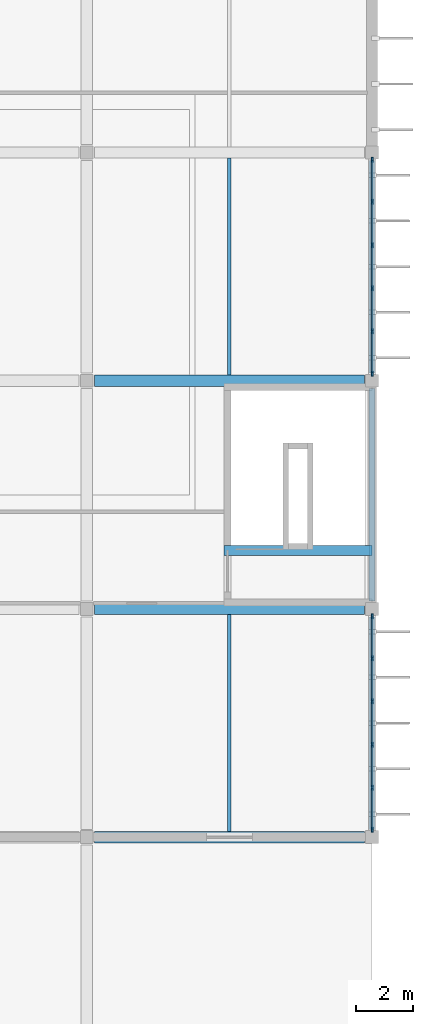
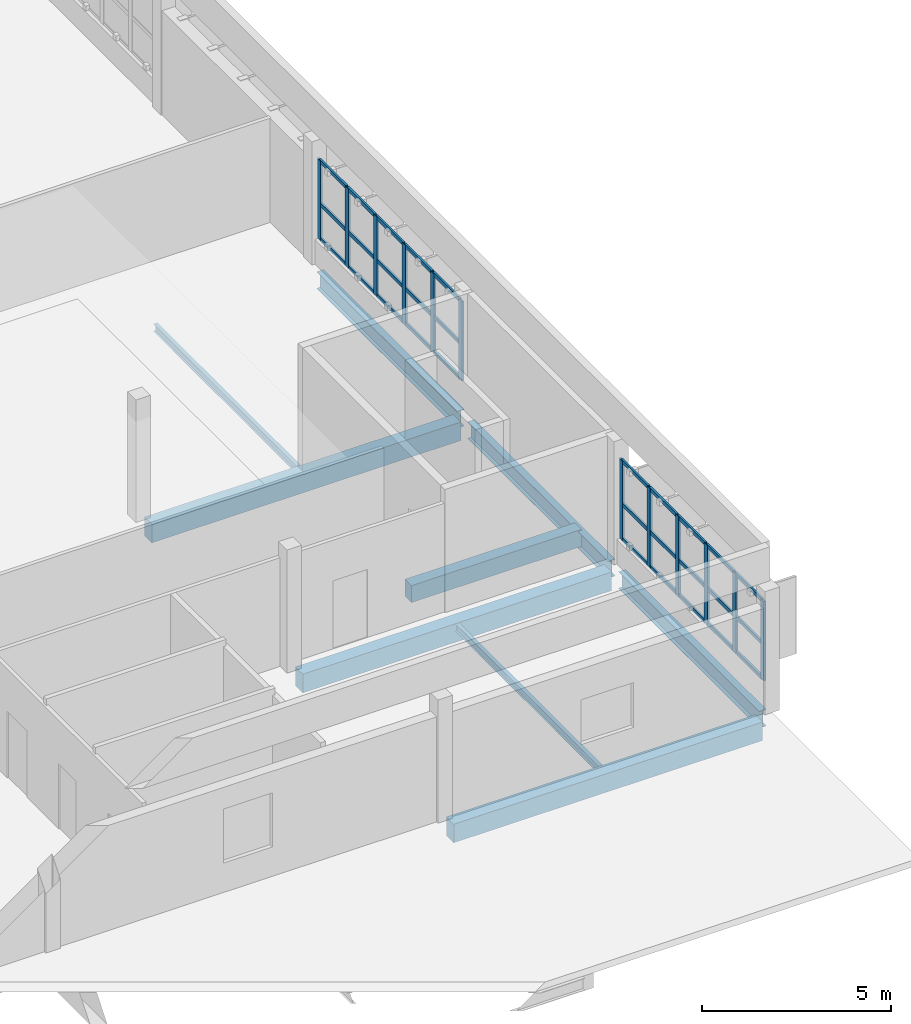
# One storey, part 3 of 12: 42 members, 9 beams, 2 elements without a shape of their own.
"""IFC4 building model written with IfcOpenShell, lengths in metres."""

import ifcopenshell
import ifcopenshell.guid

model = None  # the IFC model being written
_history = None  # IfcOwnerHistory: only IFC2X3 demands one
_inside = {}  # id of a spatial element -> (the spatial element, [elements in it])
_under = {}  # id of a project, library or spatial element -> (it, [spatial elements below it])
_declared = {}  # id of a project -> (the project, [libraries it declares])
_typed = {}  # id of a type object -> (the type object, [elements of that type])
_made_of = {}  # id of a material, layer set ... -> (it, [elements and type objects made of it])


def new_model(schema):
    """Start an empty IFC model of exactly this schema.

    Asked for "IFC4X3", IfcOpenShell would pick the latest addendum, in which some entities
    have other attributes; the version numbers below select the first issue.
    IFC2X3 requires an IfcOwnerHistory on every rooted entity: one is made here for all.
    """
    global model, _history
    if schema == "IFC4X3":
        model = ifcopenshell.file(schema_version=(4, 3, 0, 0))
    else:
        model = ifcopenshell.file(schema=schema)
    _inside.clear()
    _under.clear()
    _declared.clear()
    _typed.clear()
    _made_of.clear()
    _history = None
    if model.schema == "IFC2X3":
        org = make("IfcOrganization", Name="unknown")
        user = make(
            "IfcPersonAndOrganization",
            ThePerson=make("IfcPerson", FamilyName="unknown"),
            TheOrganization=org,
        )
        app = make(
            "IfcApplication",
            ApplicationDeveloper=org,
            Version="unknown",
            ApplicationFullName="unknown",
            ApplicationIdentifier="unknown",
        )
        _history = make(
            "IfcOwnerHistory",
            OwningUser=user,
            OwningApplication=app,
            ChangeAction="ADDED",
            CreationDate=0,
        )
    return model


def make(cls, **values):
    """One entity of the class cls with the attributes given. An attribute that is None is left unset."""
    return model.create_entity(
        cls, **{name: value for name, value in values.items() if value is not None}
    )


def rooted(cls, **values):
    """An entity with a GlobalId (a new one), such as an element, a storey or a relation."""
    return make(cls, GlobalId=ifcopenshell.guid.new(), OwnerHistory=_history, **values)


def si_unit(unit_type, name, prefix=None):
    """IfcSIUnit, for example si_unit("LENGTHUNIT", "METRE", prefix="MILLI")."""
    return make("IfcSIUnit", UnitType=unit_type, Prefix=prefix, Name=name)


def assignment(units):
    """IfcUnitAssignment: the units of a project."""
    return None if units is None else make("IfcUnitAssignment", Units=units)


def point(xyz):
    """IfcCartesianPoint."""
    return None if xyz is None else make("IfcCartesianPoint", Coordinates=xyz)


def direction(xyz):
    """IfcDirection."""
    return None if xyz is None else make("IfcDirection", DirectionRatios=xyz)


def frame(location, z_axis=None, x_axis=None):
    """IfcAxis2Placement3D, a coordinate frame: its origin and axes. An axis left out is left unset."""
    return make(
        "IfcAxis2Placement3D",
        Location=point(location),
        Axis=direction(z_axis),
        RefDirection=direction(x_axis),
    )


def frame_2d(location, x_axis=None):
    """IfcAxis2Placement2D, a coordinate frame in the plane: its origin and x axis."""
    return make(
        "IfcAxis2Placement2D", Location=point(location), RefDirection=direction(x_axis)
    )


def origin():
    """The frame at (0, 0, 0) with its axes left unset."""
    return frame((0.0, 0.0, 0.0))


def origin_2d():
    """The frame at (0, 0) in the plane with its x axis left unset."""
    return frame_2d((0.0, 0.0))


def place(relative_to, where):
    """IfcLocalPlacement: puts the frame where relative to a parent placement (None: the world)."""
    return make(
        "IfcLocalPlacement", PlacementRelTo=relative_to, RelativePlacement=where
    )


def context(
    kind, dimensions, precision=None, world=None, true_north=None, identifier=None
):
    """IfcGeometricRepresentationContext, for example the 3D "Model" context."""
    return make(
        "IfcGeometricRepresentationContext",
        ContextIdentifier=identifier,
        ContextType=kind,
        CoordinateSpaceDimension=dimensions,
        Precision=precision,
        WorldCoordinateSystem=world,
        TrueNorth=true_north,
    )


def subcontext(parent, identifier, kind, view, scale=None):
    """IfcGeometricRepresentationSubContext, for example "Body" below "Model"."""
    return make(
        "IfcGeometricRepresentationSubContext",
        ContextIdentifier=identifier,
        ContextType=kind,
        ParentContext=parent,
        TargetScale=scale,
        TargetView=view,
    )


def project(units=None, contexts=None):
    """IfcProject with its units and contexts."""
    return rooted(
        "IfcProject",
        Name="project",
        RepresentationContexts=contexts,
        UnitsInContext=assignment(units),
    )


def spatial(cls, under=None, at=None, **own):
    """A site, building, storey or space (cls), placed at a placement, below another one or the project."""
    s = rooted(cls, ObjectPlacement=at, **own)
    if under is not None:
        _under.setdefault(under.id(), (under, []))[1].append(s)
    return s


def profile(cls, at=None, kind="AREA", **sizes):
    """A parametric profile (cls). Its sizes go by their IFC names, for example OverallWidth=200.0."""
    return make(cls, ProfileType=kind, Position=at, **sizes)


def rectangle(**sizes):
    """IfcRectangleProfileDef."""
    return profile("IfcRectangleProfileDef", **sizes)


def i_section(**sizes):
    """IfcIShapeProfileDef."""
    return profile("IfcIShapeProfileDef", **sizes)


def extrude(swept, where, along, depth):
    """IfcExtrudedAreaSolid: the profile swept, set in the frame where, extruded along a direction by depth."""
    return make(
        "IfcExtrudedAreaSolid",
        SweptArea=swept,
        Position=where,
        ExtrudedDirection=direction(along),
        Depth=depth,
    )


def shape(context_of_items, identifier, shape_type, items):
    """IfcShapeRepresentation: the items that make up one representation, for example the "Body"."""
    return make(
        "IfcShapeRepresentation",
        ContextOfItems=context_of_items,
        RepresentationIdentifier=identifier,
        RepresentationType=shape_type,
        Items=items,
    )


def material(Name=None, Category=None):
    """IfcMaterial."""
    return make("IfcMaterial", Name=Name, Category=Category)


def layer(
    of_material, thickness, ventilated=None, Name=None, Category=None, Priority=None
):
    """IfcMaterialLayer: one layer of a wall or slab, of a material (None: an air gap)."""
    return make(
        "IfcMaterialLayer",
        Material=of_material,
        LayerThickness=thickness,
        IsVentilated=ventilated,
        Name=Name,
        Category=Category,
        Priority=Priority,
    )


def layer_set(layers, Name=None):
    """IfcMaterialLayerSet."""
    return make("IfcMaterialLayerSet", MaterialLayers=layers, LayerSetName=Name)


def material_profile(
    of_material, cross_section, Name=None, Category=None, Priority=None
):
    """IfcMaterialProfile: a cross section and its material."""
    return make(
        "IfcMaterialProfile",
        Name=Name,
        Material=of_material,
        Profile=cross_section,
        Priority=Priority,
        Category=Category,
    )


def profile_set(profiles, Name=None, composite=None):
    """IfcMaterialProfileSet."""
    return make(
        "IfcMaterialProfileSet",
        Name=Name,
        MaterialProfiles=profiles,
        CompositeProfile=composite,
    )


def made_of(thing, what):
    """Note that an element or type object is made of a material, layer set ...; save() writes the relation."""
    if what is not None:
        _made_of.setdefault(what.id(), (what, []))[1].append(thing)
    return thing


def type_object(cls, material=None, **own):
    """A type object (cls), such as IfcWallType, which elements share."""
    return made_of(rooted(cls, **own), material)


def element(
    cls,
    number,
    at=None,
    inside=None,
    cuts=None,
    type_object=None,
    material=None,
    context=None,
    identifier="Body",
    shape_type=None,
    held_by="IfcProductDefinitionShape",
    body=None,
    shapes=None,
    **own,
):
    """One element of the class cls, such as IfcWall. Its Tag is "e" and its number.

    at: its placement. inside: the storey or other place that contains it. cuts: it is an
    opening in that element (IfcRelVoidsElement). A single representation is given by context,
    identifier, shape_type and body (its items); several are given by shapes. held_by: the class
    of the entity that holds the representations. save() writes the other relations.
    """
    e = rooted(cls, Tag="e%d" % number, ObjectPlacement=at, **own)
    if body is not None:
        shapes = [shape(context, identifier, shape_type, body)]
    if shapes is not None:
        e.Representation = make(held_by, Representations=shapes)
    if inside is not None:
        _inside.setdefault(inside.id(), (inside, []))[1].append(e)
    if cuts is not None:
        rooted(
            "IfcRelVoidsElement", RelatingBuildingElement=cuts, RelatedOpeningElement=e
        )
    if type_object is not None:
        _typed.setdefault(type_object.id(), (type_object, []))[1].append(e)
    return made_of(e, material)


def aggregate(whole, parts):
    """IfcRelAggregates: a whole, such as a stair, and the parts it consists of."""
    return rooted("IfcRelAggregates", RelatingObject=whole, RelatedObjects=parts)


def save(model, path):
    """Write the relations noted so far, then the file.

    IfcRelAggregates (storeys below a building ...), IfcRelContainedInSpatialStructure (elements
    in a storey), IfcRelDefinesByType, IfcRelAssociatesMaterial and IfcRelDeclares: one each for
    every whole, place, type object, material and project.
    """
    for whole, parts in _under.values():
        aggregate(whole, parts)
    for where, things in _inside.values():
        rooted(
            "IfcRelContainedInSpatialStructure",
            RelatedElements=things,
            RelatingStructure=where,
        )
    for kind, things in _typed.values():
        rooted("IfcRelDefinesByType", RelatedObjects=things, RelatingType=kind)
    for what, things in _made_of.values():
        rooted("IfcRelAssociatesMaterial", RelatedObjects=things, RelatingMaterial=what)
    for by, libraries in _declared.values():
        rooted("IfcRelDeclares", RelatingContext=by, RelatedDefinitions=libraries)
    model.write(path)


model = new_model("IFC4")

# Units and contexts
model_context = context("Model", 3, precision=1e-05, world=origin(), true_north=direction((0.0, 1.0)))
body_context = subcontext(model_context, "Body", "Model", "MODEL_VIEW")
ifc_project = project(units=[si_unit("LENGTHUNIT", "METRE"), si_unit("AREAUNIT", "SQUARE_METRE"), si_unit("VOLUMEUNIT", "CUBIC_METRE"), si_unit("PLANEANGLEUNIT", "RADIAN"), si_unit("MASSUNIT", "GRAM", prefix="KILO")], contexts=[model_context])

# Site, building, storey
site_placement = place(None, origin())
site = spatial("IfcSite", under=ifc_project, at=site_placement, CompositionType="ELEMENT")
building_placement = place(site_placement, origin())
building = spatial("IfcBuilding", under=site, at=building_placement, Name="Drelvana Railside Aquatics Centre", CompositionType="ELEMENT")
storey_placement = place(building_placement, frame((0.0, 0.0, 18.60009765625)))
storey = spatial("IfcBuildingStorey", under=building, at=storey_placement, Name="L04", CompositionType="ELEMENT", Elevation=18.60009765625)

# Curtain wall, members
ifc_material_1 = material(Name="Bronze-anodised aluminium curtain wall", Category="aluminium")
ifc_layer = layer(ifc_material_1, 0.175048828125, Name="Bronze-anodised aluminium curtain wall")
ifc_layer_set = layer_set([ifc_layer], Name="Bronze-anodised aluminium curtain wall")
curtain_wall_type = type_object("IfcCurtainWallType", Name="CW-Z6-WING", PredefinedType="NOTDEFINED", material=ifc_layer_set)
curtain_wall_1_placement = place(storey_placement, origin())
curtain_wall_1 = element("IfcCurtainWall", 1, at=curtain_wall_1_placement, inside=storey, type_object=curtain_wall_type, Name="Curtain wall CW-06-170", PredefinedType="NOTDEFINED")
ifc_material_2 = material(Name="Bronze-anodised aluminium 6063-T6", Category="aluminium")
ifc_material_profile_1 = material_profile(ifc_material_2, rectangle(XDim=0.06494140625, YDim=0.175048828125, at=origin_2d()), Name="ALU-M 65x175")
ifc_profile_set_1 = profile_set([ifc_material_profile_1], Name="Bronze-anodised aluminium 6063-T6")
member_type_1 = type_object("IfcMemberType", Name="CW-Z6-WING-MUL", PredefinedType="MULLION", material=ifc_profile_set_1)
member_1_placement = place(storey_placement, frame((184.0, 24.25146484375, 0.7939453125), z_axis=(0.0, 0.0, 1.0), x_axis=(-1.0, 0.0, 0.0)))
member_1 = element("IfcMember", 2, at=member_1_placement, type_object=member_type_1, Name="CW-06 mullion 1", PredefinedType="MULLION", context=body_context, shape_type="SweptSolid", body=[
    extrude(rectangle(XDim=0.06494140625, YDim=0.175048828125, at=origin_2d()), origin(), (0.0, 0.0, 1.0), 2.571044921875),
])
member_2_placement = place(storey_placement, frame((184.0, 25.7314453125, 0.7939453125), z_axis=(0.0, 0.0, 1.0), x_axis=(-1.0, 0.0, 0.0)))
member_2 = element("IfcMember", 3, at=member_2_placement, type_object=member_type_1, Name="CW-06 mullion 2", PredefinedType="MULLION", context=body_context, shape_type="SweptSolid", body=[
    extrude(rectangle(XDim=0.06494140625, YDim=0.175048828125, at=origin_2d()), origin(), (0.0, 0.0, 1.0), 2.571044921875),
])
member_3_placement = place(storey_placement, frame((184.0, 27.243896484375, 0.7939453125), z_axis=(0.0, 0.0, 1.0), x_axis=(-1.0, 0.0, 0.0)))
member_3 = element("IfcMember", 4, at=member_3_placement, type_object=member_type_1, Name="CW-06 mullion 3", PredefinedType="MULLION", context=body_context, shape_type="SweptSolid", body=[
    extrude(rectangle(XDim=0.06494140625, YDim=0.175048828125, at=origin_2d()), origin(), (0.0, 0.0, 1.0), 2.571044921875),
])
member_4_placement = place(storey_placement, frame((184.0, 28.756103515625, 0.7939453125), z_axis=(0.0, 0.0, 1.0), x_axis=(-1.0, 0.0, 0.0)))
member_4 = element("IfcMember", 5, at=member_4_placement, type_object=member_type_1, Name="CW-06 mullion 4", PredefinedType="MULLION", context=body_context, shape_type="SweptSolid", body=[
    extrude(rectangle(XDim=0.06494140625, YDim=0.175048828125, at=origin_2d()), origin(), (0.0, 0.0, 1.0), 2.571044921875),
])
member_5_placement = place(storey_placement, frame((184.0, 30.2685546875, 0.7939453125), z_axis=(0.0, 0.0, 1.0), x_axis=(-1.0, 0.0, 0.0)))
member_5 = element("IfcMember", 6, at=member_5_placement, type_object=member_type_1, Name="CW-06 mullion 5", PredefinedType="MULLION", context=body_context, shape_type="SweptSolid", body=[
    extrude(rectangle(XDim=0.06494140625, YDim=0.175048828125, at=origin_2d()), origin(), (0.0, 0.0, 1.0), 2.571044921875),
])
member_6_placement = place(storey_placement, frame((184.0, 31.74853515625, 0.7939453125), z_axis=(0.0, 0.0, 1.0), x_axis=(-1.0, 0.0, 0.0)))
member_6 = element("IfcMember", 7, at=member_6_placement, type_object=member_type_1, Name="CW-06 mullion 6", PredefinedType="MULLION", context=body_context, shape_type="SweptSolid", body=[
    extrude(rectangle(XDim=0.06494140625, YDim=0.175048828125, at=origin_2d()), origin(), (0.0, 0.0, 1.0), 2.571044921875),
])

curtain_wall_2_placement = place(storey_placement, origin())
curtain_wall_2 = element("IfcCurtainWall", 8, at=curtain_wall_2_placement, inside=storey, type_object=curtain_wall_type, Name="Curtain wall CW-06-174", PredefinedType="NOTDEFINED")
member_7_placement = place(storey_placement, frame((184.0, 40.25146484375, 0.7939453125), z_axis=(0.0, 0.0, 1.0), x_axis=(-1.0, 0.0, 0.0)))
member_7 = element("IfcMember", 9, at=member_7_placement, type_object=member_type_1, Name="CW-06 mullion 1", PredefinedType="MULLION", context=body_context, shape_type="SweptSolid", body=[
    extrude(rectangle(XDim=0.06494140625, YDim=0.175048828125, at=origin_2d()), origin(), (0.0, 0.0, 1.0), 2.571044921875),
])
member_8_placement = place(storey_placement, frame((184.0, 41.7314453125, 0.7939453125), z_axis=(0.0, 0.0, 1.0), x_axis=(-1.0, 0.0, 0.0)))
member_8 = element("IfcMember", 10, at=member_8_placement, type_object=member_type_1, Name="CW-06 mullion 2", PredefinedType="MULLION", context=body_context, shape_type="SweptSolid", body=[
    extrude(rectangle(XDim=0.06494140625, YDim=0.175048828125, at=origin_2d()), origin(), (0.0, 0.0, 1.0), 2.571044921875),
])
member_9_placement = place(storey_placement, frame((184.0, 43.243896484375, 0.7939453125), z_axis=(0.0, 0.0, 1.0), x_axis=(-1.0, 0.0, 0.0)))
member_9 = element("IfcMember", 11, at=member_9_placement, type_object=member_type_1, Name="CW-06 mullion 3", PredefinedType="MULLION", context=body_context, shape_type="SweptSolid", body=[
    extrude(rectangle(XDim=0.06494140625, YDim=0.175048828125, at=origin_2d()), origin(), (0.0, 0.0, 1.0), 2.571044921875),
])
member_10_placement = place(storey_placement, frame((184.0, 44.756103515625, 0.7939453125), z_axis=(0.0, 0.0, 1.0), x_axis=(-1.0, 0.0, 0.0)))
member_10 = element("IfcMember", 12, at=member_10_placement, type_object=member_type_1, Name="CW-06 mullion 4", PredefinedType="MULLION", context=body_context, shape_type="SweptSolid", body=[
    extrude(rectangle(XDim=0.06494140625, YDim=0.175048828125, at=origin_2d()), origin(), (0.0, 0.0, 1.0), 2.571044921875),
])
member_11_placement = place(storey_placement, frame((184.0, 46.2685546875, 0.7939453125), z_axis=(0.0, 0.0, 1.0), x_axis=(-1.0, 0.0, 0.0)))
member_11 = element("IfcMember", 13, at=member_11_placement, type_object=member_type_1, Name="CW-06 mullion 5", PredefinedType="MULLION", context=body_context, shape_type="SweptSolid", body=[
    extrude(rectangle(XDim=0.06494140625, YDim=0.175048828125, at=origin_2d()), origin(), (0.0, 0.0, 1.0), 2.571044921875),
])
member_12_placement = place(storey_placement, frame((184.0, 47.74853515625, 0.7939453125), z_axis=(0.0, 0.0, 1.0), x_axis=(-1.0, 0.0, 0.0)))
member_12 = element("IfcMember", 14, at=member_12_placement, type_object=member_type_1, Name="CW-06 mullion 6", PredefinedType="MULLION", context=body_context, shape_type="SweptSolid", body=[
    extrude(rectangle(XDim=0.06494140625, YDim=0.175048828125, at=origin_2d()), origin(), (0.0, 0.0, 1.0), 2.571044921875),
])

# Member
ifc_material_profile_2 = material_profile(ifc_material_2, rectangle(XDim=0.1201171875, YDim=0.06005859375, at=origin_2d()), Name="ALU-T 60x120")
ifc_profile_set_2 = profile_set([ifc_material_profile_2], Name="Bronze-anodised aluminium 6063-T6")
member_type_2 = type_object("IfcMemberType", Name="CW-Z6-WING-TRN", PredefinedType="USERDEFINED", material=ifc_profile_set_2)
member_13_placement = place(storey_placement, frame((184.0, 24.279052734375, 0.823974609375), z_axis=(0.0, 1.0, 0.0), x_axis=(0.0, 0.0, 1.0)))
member_13 = element("IfcMember", 15, at=member_13_placement, type_object=member_type_2, Name="CW-06 transom 1.1", ObjectType="TRANSOM", PredefinedType="USERDEFINED", context=body_context, shape_type="SweptSolid", body=[
    extrude(rectangle(XDim=0.1201171875, YDim=0.06005859375, at=origin_2d()), origin(), (0.0, 0.0, 1.0), 1.4248046875),
])

member_14_placement = place(storey_placement, frame((184.0, 24.279052734375, 1.950927734375), z_axis=(0.0, 1.0, 0.0), x_axis=(0.0, 0.0, 1.0)))
member_14 = element("IfcMember", 16, at=member_14_placement, type_object=member_type_2, Name="CW-06 transom 1.2", ObjectType="TRANSOM", PredefinedType="USERDEFINED", context=body_context, shape_type="SweptSolid", body=[
    extrude(rectangle(XDim=0.1201171875, YDim=0.06005859375, at=origin_2d()), origin(), (0.0, 0.0, 1.0), 1.4248046875),
])

member_15_placement = place(storey_placement, frame((184.0, 24.279052734375, 3.3349609375), z_axis=(0.0, 1.0, 0.0), x_axis=(0.0, 0.0, 1.0)))
member_15 = element("IfcMember", 17, at=member_15_placement, type_object=member_type_2, Name="CW-06 transom 1.3", ObjectType="TRANSOM", PredefinedType="USERDEFINED", context=body_context, shape_type="SweptSolid", body=[
    extrude(rectangle(XDim=0.1201171875, YDim=0.06005859375, at=origin_2d()), origin(), (0.0, 0.0, 1.0), 1.4248046875),
])

member_16_placement = place(storey_placement, frame((184.0, 25.7587890625, 0.823974609375), z_axis=(0.0, 1.0, 0.0), x_axis=(0.0, 0.0, 1.0)))
member_16 = element("IfcMember", 18, at=member_16_placement, type_object=member_type_2, Name="CW-06 transom 2.1", ObjectType="TRANSOM", PredefinedType="USERDEFINED", context=body_context, shape_type="SweptSolid", body=[
    extrude(rectangle(XDim=0.1201171875, YDim=0.06005859375, at=origin_2d()), origin(), (0.0, 0.0, 1.0), 1.45751953125),
])

member_17_placement = place(storey_placement, frame((184.0, 25.7587890625, 1.950927734375), z_axis=(0.0, 1.0, 0.0), x_axis=(0.0, 0.0, 1.0)))
member_17 = element("IfcMember", 19, at=member_17_placement, type_object=member_type_2, Name="CW-06 transom 2.2", ObjectType="TRANSOM", PredefinedType="USERDEFINED", context=body_context, shape_type="SweptSolid", body=[
    extrude(rectangle(XDim=0.1201171875, YDim=0.06005859375, at=origin_2d()), origin(), (0.0, 0.0, 1.0), 1.45751953125),
])

member_18_placement = place(storey_placement, frame((184.0, 25.7587890625, 3.3349609375), z_axis=(0.0, 1.0, 0.0), x_axis=(0.0, 0.0, 1.0)))
member_18 = element("IfcMember", 20, at=member_18_placement, type_object=member_type_2, Name="CW-06 transom 2.3", ObjectType="TRANSOM", PredefinedType="USERDEFINED", context=body_context, shape_type="SweptSolid", body=[
    extrude(rectangle(XDim=0.1201171875, YDim=0.06005859375, at=origin_2d()), origin(), (0.0, 0.0, 1.0), 1.45751953125),
])

member_19_placement = place(storey_placement, frame((184.0, 27.271240234375, 0.823974609375), z_axis=(0.0, 1.0, 0.0), x_axis=(0.0, 0.0, 1.0)))
member_19 = element("IfcMember", 21, at=member_19_placement, type_object=member_type_2, Name="CW-06 transom 3.1", ObjectType="TRANSOM", PredefinedType="USERDEFINED", context=body_context, shape_type="SweptSolid", body=[
    extrude(rectangle(XDim=0.1201171875, YDim=0.06005859375, at=origin_2d()), origin(), (0.0, 0.0, 1.0), 1.45751953125),
])

member_20_placement = place(storey_placement, frame((184.0, 27.271240234375, 1.950927734375), z_axis=(0.0, 1.0, 0.0), x_axis=(0.0, 0.0, 1.0)))
member_20 = element("IfcMember", 22, at=member_20_placement, type_object=member_type_2, Name="CW-06 transom 3.2", ObjectType="TRANSOM", PredefinedType="USERDEFINED", context=body_context, shape_type="SweptSolid", body=[
    extrude(rectangle(XDim=0.1201171875, YDim=0.06005859375, at=origin_2d()), origin(), (0.0, 0.0, 1.0), 1.45751953125),
])

member_21_placement = place(storey_placement, frame((184.0, 27.271240234375, 3.3349609375), z_axis=(0.0, 1.0, 0.0), x_axis=(0.0, 0.0, 1.0)))
member_21 = element("IfcMember", 23, at=member_21_placement, type_object=member_type_2, Name="CW-06 transom 3.3", ObjectType="TRANSOM", PredefinedType="USERDEFINED", context=body_context, shape_type="SweptSolid", body=[
    extrude(rectangle(XDim=0.1201171875, YDim=0.06005859375, at=origin_2d()), origin(), (0.0, 0.0, 1.0), 1.45751953125),
])

member_22_placement = place(storey_placement, frame((184.0, 28.78369140625, 0.823974609375), z_axis=(0.0, 1.0, 0.0), x_axis=(0.0, 0.0, 1.0)))
member_22 = element("IfcMember", 24, at=member_22_placement, type_object=member_type_2, Name="CW-06 transom 4.1", ObjectType="TRANSOM", PredefinedType="USERDEFINED", context=body_context, shape_type="SweptSolid", body=[
    extrude(rectangle(XDim=0.1201171875, YDim=0.06005859375, at=origin_2d()), origin(), (0.0, 0.0, 1.0), 1.45751953125),
])

member_23_placement = place(storey_placement, frame((184.0, 28.78369140625, 1.950927734375), z_axis=(0.0, 1.0, 0.0), x_axis=(0.0, 0.0, 1.0)))
member_23 = element("IfcMember", 25, at=member_23_placement, type_object=member_type_2, Name="CW-06 transom 4.2", ObjectType="TRANSOM", PredefinedType="USERDEFINED", context=body_context, shape_type="SweptSolid", body=[
    extrude(rectangle(XDim=0.1201171875, YDim=0.06005859375, at=origin_2d()), origin(), (0.0, 0.0, 1.0), 1.45751953125),
])

member_24_placement = place(storey_placement, frame((184.0, 28.78369140625, 3.3349609375), z_axis=(0.0, 1.0, 0.0), x_axis=(0.0, 0.0, 1.0)))
member_24 = element("IfcMember", 26, at=member_24_placement, type_object=member_type_2, Name="CW-06 transom 4.3", ObjectType="TRANSOM", PredefinedType="USERDEFINED", context=body_context, shape_type="SweptSolid", body=[
    extrude(rectangle(XDim=0.1201171875, YDim=0.06005859375, at=origin_2d()), origin(), (0.0, 0.0, 1.0), 1.45751953125),
])

member_25_placement = place(storey_placement, frame((184.0, 30.296142578125, 0.823974609375), z_axis=(0.0, 1.0, 0.0), x_axis=(0.0, 0.0, 1.0)))
member_25 = element("IfcMember", 27, at=member_25_placement, type_object=member_type_2, Name="CW-06 transom 5.1", ObjectType="TRANSOM", PredefinedType="USERDEFINED", context=body_context, shape_type="SweptSolid", body=[
    extrude(rectangle(XDim=0.1201171875, YDim=0.06005859375, at=origin_2d()), origin(), (0.0, 0.0, 1.0), 1.4248046875),
])

member_26_placement = place(storey_placement, frame((184.0, 30.296142578125, 1.950927734375), z_axis=(0.0, 1.0, 0.0), x_axis=(0.0, 0.0, 1.0)))
member_26 = element("IfcMember", 28, at=member_26_placement, type_object=member_type_2, Name="CW-06 transom 5.2", ObjectType="TRANSOM", PredefinedType="USERDEFINED", context=body_context, shape_type="SweptSolid", body=[
    extrude(rectangle(XDim=0.1201171875, YDim=0.06005859375, at=origin_2d()), origin(), (0.0, 0.0, 1.0), 1.4248046875),
])

member_27_placement = place(storey_placement, frame((184.0, 30.296142578125, 3.3349609375), z_axis=(0.0, 1.0, 0.0), x_axis=(0.0, 0.0, 1.0)))
member_27 = element("IfcMember", 29, at=member_27_placement, type_object=member_type_2, Name="CW-06 transom 5.3", ObjectType="TRANSOM", PredefinedType="USERDEFINED", context=body_context, shape_type="SweptSolid", body=[
    extrude(rectangle(XDim=0.1201171875, YDim=0.06005859375, at=origin_2d()), origin(), (0.0, 0.0, 1.0), 1.4248046875),
])

aggregate(curtain_wall_1, [member_1, member_2, member_3, member_4, member_5, member_6, member_13, member_14, member_15, member_16, member_17, member_18, member_19, member_20, member_21, member_22, member_23, member_24, member_25, member_26, member_27])

member_28_placement = place(storey_placement, frame((184.0, 40.279052734375, 0.823974609375), z_axis=(0.0, 1.0, 0.0), x_axis=(0.0, 0.0, 1.0)))
member_28 = element("IfcMember", 30, at=member_28_placement, type_object=member_type_2, Name="CW-06 transom 1.1", ObjectType="TRANSOM", PredefinedType="USERDEFINED", context=body_context, shape_type="SweptSolid", body=[
    extrude(rectangle(XDim=0.1201171875, YDim=0.06005859375, at=origin_2d()), origin(), (0.0, 0.0, 1.0), 1.4248046875),
])

member_29_placement = place(storey_placement, frame((184.0, 40.279052734375, 1.950927734375), z_axis=(0.0, 1.0, 0.0), x_axis=(0.0, 0.0, 1.0)))
member_29 = element("IfcMember", 31, at=member_29_placement, type_object=member_type_2, Name="CW-06 transom 1.2", ObjectType="TRANSOM", PredefinedType="USERDEFINED", context=body_context, shape_type="SweptSolid", body=[
    extrude(rectangle(XDim=0.1201171875, YDim=0.06005859375, at=origin_2d()), origin(), (0.0, 0.0, 1.0), 1.4248046875),
])

member_30_placement = place(storey_placement, frame((184.0, 40.279052734375, 3.3349609375), z_axis=(0.0, 1.0, 0.0), x_axis=(0.0, 0.0, 1.0)))
member_30 = element("IfcMember", 32, at=member_30_placement, type_object=member_type_2, Name="CW-06 transom 1.3", ObjectType="TRANSOM", PredefinedType="USERDEFINED", context=body_context, shape_type="SweptSolid", body=[
    extrude(rectangle(XDim=0.1201171875, YDim=0.06005859375, at=origin_2d()), origin(), (0.0, 0.0, 1.0), 1.4248046875),
])

member_31_placement = place(storey_placement, frame((184.0, 41.7587890625, 0.823974609375), z_axis=(0.0, 1.0, 0.0), x_axis=(0.0, 0.0, 1.0)))
member_31 = element("IfcMember", 33, at=member_31_placement, type_object=member_type_2, Name="CW-06 transom 2.1", ObjectType="TRANSOM", PredefinedType="USERDEFINED", context=body_context, shape_type="SweptSolid", body=[
    extrude(rectangle(XDim=0.1201171875, YDim=0.06005859375, at=origin_2d()), origin(), (0.0, 0.0, 1.0), 1.45751953125),
])

member_32_placement = place(storey_placement, frame((184.0, 41.7587890625, 1.950927734375), z_axis=(0.0, 1.0, 0.0), x_axis=(0.0, 0.0, 1.0)))
member_32 = element("IfcMember", 34, at=member_32_placement, type_object=member_type_2, Name="CW-06 transom 2.2", ObjectType="TRANSOM", PredefinedType="USERDEFINED", context=body_context, shape_type="SweptSolid", body=[
    extrude(rectangle(XDim=0.1201171875, YDim=0.06005859375, at=origin_2d()), origin(), (0.0, 0.0, 1.0), 1.45751953125),
])

member_33_placement = place(storey_placement, frame((184.0, 41.7587890625, 3.3349609375), z_axis=(0.0, 1.0, 0.0), x_axis=(0.0, 0.0, 1.0)))
member_33 = element("IfcMember", 35, at=member_33_placement, type_object=member_type_2, Name="CW-06 transom 2.3", ObjectType="TRANSOM", PredefinedType="USERDEFINED", context=body_context, shape_type="SweptSolid", body=[
    extrude(rectangle(XDim=0.1201171875, YDim=0.06005859375, at=origin_2d()), origin(), (0.0, 0.0, 1.0), 1.45751953125),
])

member_34_placement = place(storey_placement, frame((184.0, 43.271240234375, 0.823974609375), z_axis=(0.0, 1.0, 0.0), x_axis=(0.0, 0.0, 1.0)))
member_34 = element("IfcMember", 36, at=member_34_placement, type_object=member_type_2, Name="CW-06 transom 3.1", ObjectType="TRANSOM", PredefinedType="USERDEFINED", context=body_context, shape_type="SweptSolid", body=[
    extrude(rectangle(XDim=0.1201171875, YDim=0.06005859375, at=origin_2d()), origin(), (0.0, 0.0, 1.0), 1.45751953125),
])

member_35_placement = place(storey_placement, frame((184.0, 43.271240234375, 1.950927734375), z_axis=(0.0, 1.0, 0.0), x_axis=(0.0, 0.0, 1.0)))
member_35 = element("IfcMember", 37, at=member_35_placement, type_object=member_type_2, Name="CW-06 transom 3.2", ObjectType="TRANSOM", PredefinedType="USERDEFINED", context=body_context, shape_type="SweptSolid", body=[
    extrude(rectangle(XDim=0.1201171875, YDim=0.06005859375, at=origin_2d()), origin(), (0.0, 0.0, 1.0), 1.45751953125),
])

member_36_placement = place(storey_placement, frame((184.0, 43.271240234375, 3.3349609375), z_axis=(0.0, 1.0, 0.0), x_axis=(0.0, 0.0, 1.0)))
member_36 = element("IfcMember", 38, at=member_36_placement, type_object=member_type_2, Name="CW-06 transom 3.3", ObjectType="TRANSOM", PredefinedType="USERDEFINED", context=body_context, shape_type="SweptSolid", body=[
    extrude(rectangle(XDim=0.1201171875, YDim=0.06005859375, at=origin_2d()), origin(), (0.0, 0.0, 1.0), 1.45751953125),
])

member_37_placement = place(storey_placement, frame((184.0, 44.78369140625, 0.823974609375), z_axis=(0.0, 1.0, 0.0), x_axis=(0.0, 0.0, 1.0)))
member_37 = element("IfcMember", 39, at=member_37_placement, type_object=member_type_2, Name="CW-06 transom 4.1", ObjectType="TRANSOM", PredefinedType="USERDEFINED", context=body_context, shape_type="SweptSolid", body=[
    extrude(rectangle(XDim=0.1201171875, YDim=0.06005859375, at=origin_2d()), origin(), (0.0, 0.0, 1.0), 1.45751953125),
])

member_38_placement = place(storey_placement, frame((184.0, 44.78369140625, 1.950927734375), z_axis=(0.0, 1.0, 0.0), x_axis=(0.0, 0.0, 1.0)))
member_38 = element("IfcMember", 40, at=member_38_placement, type_object=member_type_2, Name="CW-06 transom 4.2", ObjectType="TRANSOM", PredefinedType="USERDEFINED", context=body_context, shape_type="SweptSolid", body=[
    extrude(rectangle(XDim=0.1201171875, YDim=0.06005859375, at=origin_2d()), origin(), (0.0, 0.0, 1.0), 1.45751953125),
])

member_39_placement = place(storey_placement, frame((184.0, 44.78369140625, 3.3349609375), z_axis=(0.0, 1.0, 0.0), x_axis=(0.0, 0.0, 1.0)))
member_39 = element("IfcMember", 41, at=member_39_placement, type_object=member_type_2, Name="CW-06 transom 4.3", ObjectType="TRANSOM", PredefinedType="USERDEFINED", context=body_context, shape_type="SweptSolid", body=[
    extrude(rectangle(XDim=0.1201171875, YDim=0.06005859375, at=origin_2d()), origin(), (0.0, 0.0, 1.0), 1.45751953125),
])

member_40_placement = place(storey_placement, frame((184.0, 46.296142578125, 0.823974609375), z_axis=(0.0, 1.0, 0.0), x_axis=(0.0, 0.0, 1.0)))
member_40 = element("IfcMember", 42, at=member_40_placement, type_object=member_type_2, Name="CW-06 transom 5.1", ObjectType="TRANSOM", PredefinedType="USERDEFINED", context=body_context, shape_type="SweptSolid", body=[
    extrude(rectangle(XDim=0.1201171875, YDim=0.06005859375, at=origin_2d()), origin(), (0.0, 0.0, 1.0), 1.4248046875),
])

member_41_placement = place(storey_placement, frame((184.0, 46.296142578125, 1.950927734375), z_axis=(0.0, 1.0, 0.0), x_axis=(0.0, 0.0, 1.0)))
member_41 = element("IfcMember", 43, at=member_41_placement, type_object=member_type_2, Name="CW-06 transom 5.2", ObjectType="TRANSOM", PredefinedType="USERDEFINED", context=body_context, shape_type="SweptSolid", body=[
    extrude(rectangle(XDim=0.1201171875, YDim=0.06005859375, at=origin_2d()), origin(), (0.0, 0.0, 1.0), 1.4248046875),
])

member_42_placement = place(storey_placement, frame((184.0, 46.296142578125, 3.3349609375), z_axis=(0.0, 1.0, 0.0), x_axis=(0.0, 0.0, 1.0)))
member_42 = element("IfcMember", 44, at=member_42_placement, type_object=member_type_2, Name="CW-06 transom 5.3", ObjectType="TRANSOM", PredefinedType="USERDEFINED", context=body_context, shape_type="SweptSolid", body=[
    extrude(rectangle(XDim=0.1201171875, YDim=0.06005859375, at=origin_2d()), origin(), (0.0, 0.0, 1.0), 1.4248046875),
])

aggregate(curtain_wall_2, [member_7, member_8, member_9, member_10, member_11, member_12, member_28, member_29, member_30, member_31, member_32, member_33, member_34, member_35, member_36, member_37, member_38, member_39, member_40, member_41, member_42])

# Beams
ifc_material_3 = material(Name="Concrete C40/50", Category="concrete")
ifc_material_profile_3 = material_profile(ifc_material_3, rectangle(XDim=0.35009765625, YDim=0.550048828125, at=origin_2d()), Name="RC 350x550")
ifc_profile_set_3 = profile_set([ifc_material_profile_3], Name="Concrete C40/50")
beam_type_1 = type_object("IfcBeamType", Name="STR-BM-BM-01-RC-350x550", PredefinedType="BEAM", material=ifc_profile_set_3)
beam_placement = place(storey_placement, frame((178.800048828125, 34.050048828125, -0.47509765625), z_axis=(1.0, 0.0, 0.0), x_axis=(0.0, 1.0, 0.0)))
element("IfcBeam", 45, at=beam_placement, inside=storey, type_object=beam_type_1, Name="Stair ST-09 L04 landing beam", PredefinedType="BEAM", context=body_context, shape_type="SweptSolid", body=[
    extrude(rectangle(XDim=0.35009765625, YDim=0.550048828125, at=origin_2d()), origin(), (0.0, 0.0, 1.0), 5.199951171875),
])
ifc_material_profile_4 = material_profile(ifc_material_3, rectangle(XDim=0.39990234375, YDim=0.60009765625, at=origin_2d()), Name="RC 400x600")
ifc_profile_set_4 = profile_set([ifc_material_profile_4], Name="Concrete C40/50")
beam_type_2 = type_object("IfcBeamType", Name="STR-BM-BM-02-RC-400x600", PredefinedType="BEAM", material=ifc_profile_set_4)
for number, where, z_axis, x_axis, name in (
    (46, (174.27490234375, 24.0, -0.525146484375), (1.0, 0.0, 0.0), (0.0, 1.0, 0.0), "Girder BM-02 (L04)"),
    (47, (174.27490234375, 32.0, -0.525146484375), (1.0, 0.0, 0.0), (0.0, 1.0, 0.0), "Girder BM-02 (L04)"),
    (48, (174.27490234375, 40.0, -0.525146484375), (1.0, 0.0, 0.0), (0.0, 1.0, 0.0), "Girder BM-02 (L04)"),
):
    element("IfcBeam", number, at=place(storey_placement, frame(where, z_axis=z_axis, x_axis=x_axis)), inside=storey, type_object=beam_type_2, Name=name, PredefinedType="BEAM", context=body_context, shape_type="SweptSolid", body=[
        extrude(rectangle(XDim=0.39990234375, YDim=0.60009765625, at=origin_2d()), origin(), (0.0, 0.0, 1.0), 9.4501953125),
    ])
ifc_material_4 = material(Name="Structural steel S355", Category="steel")
ifc_material_profile_5 = material_profile(ifc_material_4, i_section(OverallWidth=0.2099609375, OverallDepth=0.550048828125, WebThickness=0.010986328125, FlangeThickness=0.01708984375, at=origin_2d()), Name="IPE 550")
ifc_profile_set_5 = profile_set([ifc_material_profile_5], Name="Structural steel S355")
beam_type_3 = type_object("IfcBeamType", Name="STR-SBM-SB-04-IPE-550", PredefinedType="SPANDREL", material=ifc_profile_set_5)
for number, where, z_axis, x_axis, name in (
    (49, (184.0, 24.27490234375, -0.5), (0.0, 1.0, 0.0), (-1.0, 0.0, 0.0), "Girder SB-04 (L04)"),
    (50, (184.0, 32.27490234375, -0.5), (0.0, 1.0, 0.0), (-1.0, 0.0, 0.0), "Girder SB-04 (L04)"),
    (51, (184.0, 40.27490234375, -0.5), (0.0, 1.0, 0.0), (-1.0, 0.0, 0.0), "Girder SB-04 (L04)"),
):
    element("IfcBeam", number, at=place(storey_placement, frame(where, z_axis=z_axis, x_axis=x_axis)), inside=storey, type_object=beam_type_3, Name=name, PredefinedType="SPANDREL", context=body_context, shape_type="SweptSolid", body=[
        extrude(i_section(OverallWidth=0.2099609375, OverallDepth=0.550048828125, WebThickness=0.010986328125, FlangeThickness=0.01708984375, at=origin_2d()), origin(), (0.0, 0.0, 1.0), 7.4501953125),
    ])
ifc_material_profile_6 = material_profile(ifc_material_4, i_section(OverallWidth=0.1201171875, OverallDepth=0.239990234375, WebThickness=0.006103515625, FlangeThickness=0.009765625, at=origin_2d()), Name="IPE 240")
ifc_profile_set_6 = profile_set([ifc_material_profile_6], Name="Structural steel S355")
beam_type_4 = type_object("IfcBeamType", Name="STR-SBM-SJ-01-IPE-240", PredefinedType="JOIST", material=ifc_profile_set_6)
for number, where, z_axis, x_axis, name in (
    (52, (179.0, 24.199951171875, -0.34521484375), (0.0, 1.0, 0.0), (-1.0, 0.0, 0.0), "Secondary floor joist SJ-01 (L04)"),
    (53, (179.0, 40.199951171875, -0.34521484375), (0.0, 1.0, 0.0), (-1.0, 0.0, 0.0), "Secondary floor joist SJ-01 (L04)"),
):
    element("IfcBeam", number, at=place(storey_placement, frame(where, z_axis=z_axis, x_axis=x_axis)), inside=storey, type_object=beam_type_4, Name=name, PredefinedType="JOIST", context=body_context, shape_type="SweptSolid", body=[
        extrude(i_section(OverallWidth=0.1201171875, OverallDepth=0.239990234375, WebThickness=0.006103515625, FlangeThickness=0.009765625, at=origin_2d()), origin(), (0.0, 0.0, 1.0), 7.60009765625),
    ])

save(model, "model.ifc")
